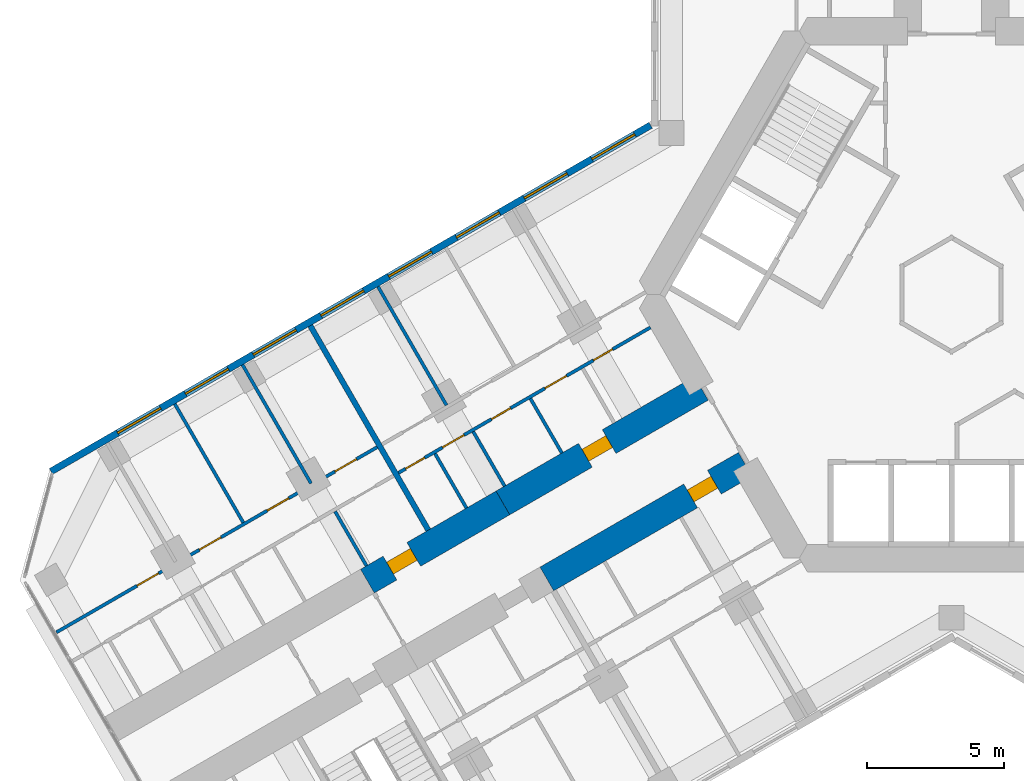
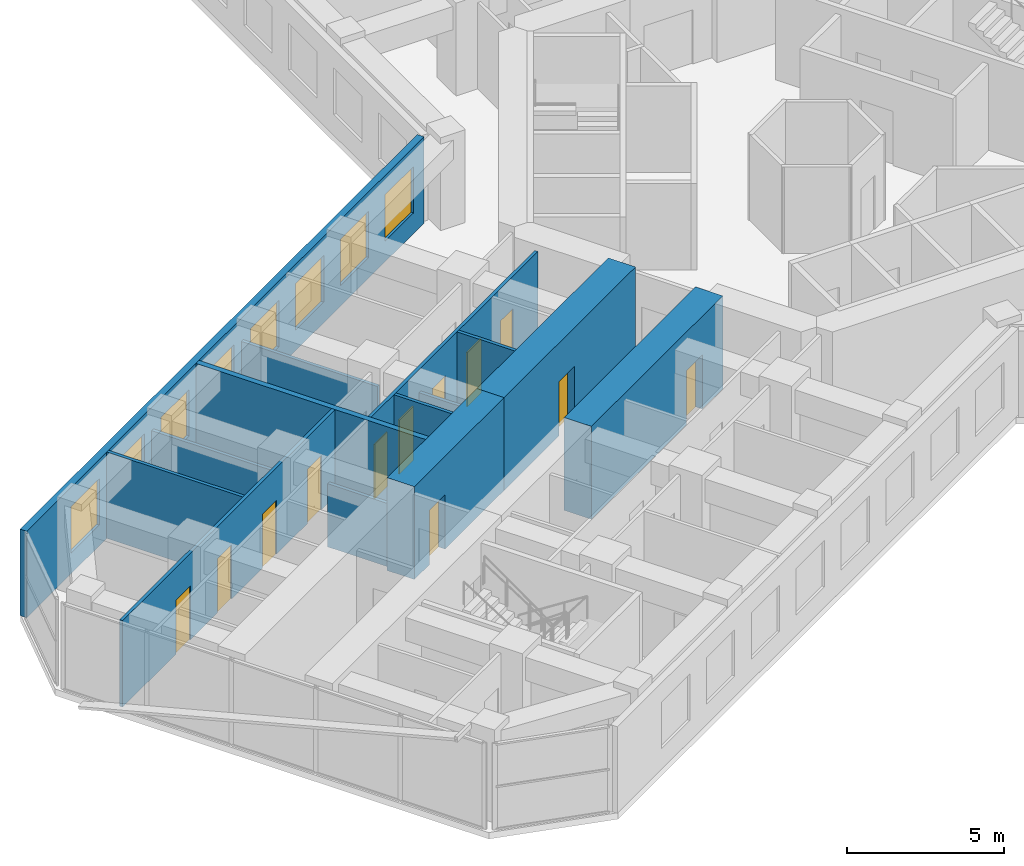
# One storey, part 12 of 22: 14 walls, 12 doors, 8 windows, 20 openings.
"""IFC4 building model written with IfcOpenShell, lengths in metres."""

from ifc_helpers import new_model, si_unit, direction, frame, frame_2d, origin, place, context, subcontext, project, spatial, rectangle, extrude, material, layer, layer_set, type_object, element, fill, save


model = new_model("IFC4")

# Units and contexts
model_context = context("Model", 3, precision=1e-05, world=origin(), true_north=direction((0.0, 1.0)))
body_context = subcontext(model_context, "Body", "Model", "MODEL_VIEW")
ifc_project = project(units=[si_unit("LENGTHUNIT", "METRE"), si_unit("AREAUNIT", "SQUARE_METRE"), si_unit("VOLUMEUNIT", "CUBIC_METRE"), si_unit("PLANEANGLEUNIT", "RADIAN"), si_unit("MASSUNIT", "GRAM", prefix="KILO")], contexts=[model_context])

# Site, building, storey
site_placement = place(None, origin())
site = spatial("IfcSite", under=ifc_project, at=site_placement, CompositionType="ELEMENT")
building_placement = place(site_placement, origin())
building = spatial("IfcBuilding", under=site, at=building_placement, Name="Kosmar Iwan School Tower", CompositionType="ELEMENT")
storey_placement = place(building_placement, frame((0.0, 0.0, 91.60009765625)))
storey = spatial("IfcBuildingStorey", under=building, at=storey_placement, Name="L22", CompositionType="ELEMENT", Elevation=91.60009765625)

# Wall, opening, door
ifc_material_1 = material(Name="Concrete C50/60", Category="concrete")
ifc_layer_1 = layer(ifc_material_1, 1.0)
ifc_layer_set_1 = layer_set([ifc_layer_1], Name="Corridor buttress wall 1000")
wall_type_1 = type_object("IfcWallType", Name="Corridor buttress wall 1000", PredefinedType="SHEAR", material=ifc_layer_set_1)
wall_1_placement = place(storey_placement, frame((-7.513916015625, -6.185546875, 0.0), z_axis=(0.0, 0.0, 1.0), x_axis=(-0.866019549707, -0.500010139422, 0.0)))
wall_1 = element("IfcWall", 1, at=wall_1_placement, inside=storey, type_object=wall_type_1, Name="Corridor wall BL", PredefinedType="SHEAR", context=body_context, shape_type="SweptSolid", body=[
    extrude(rectangle(XDim=8.349853515625, YDim=1.0, at=frame_2d((4.1748046875, 0.0))), origin(), (0.0, 0.0, 1.0), 3.599853515625),
])
opening_1_placement = place(wall_1_placement, frame((1.300048828125, 0.0, 0.0)))
opening_1 = element("IfcOpeningElement", 2, at=opening_1_placement, cuts=wall_1, Name="Opening D1", PredefinedType="OPENING", context=body_context, shape_type="SweptSolid", body=[
    extrude(rectangle(XDim=1.0, YDim=2.10009765625, at=frame_2d((0.5, 1.050048828125))), frame((0.0, 0.511962890625, 0.0), z_axis=(0.0, -1.0, 0.0), x_axis=(1.0, 0.0, 0.0)), (0.0, 0.0, 1.0), 1.02392578125),
])
ifc_material_2 = material(Name="Timber fire door in steel frame", Category="steel")
door_type_1 = type_object("IfcDoorType", Name="Flat entrance door 1000x2100", OperationType="SINGLE_SWING_LEFT", PredefinedType="DOOR", material=ifc_material_2)
door_1_placement = place(opening_1_placement, origin())
door_1 = element("IfcDoor", 3, at=door_1_placement, inside=storey, type_object=door_type_1, Name="Flat L22-BL1 entrance door", OperationType="SINGLE_SWING_RIGHT", OverallHeight=2.10009765625, OverallWidth=1.0, PredefinedType="DOOR", context=body_context, shape_type="SweptSolid", body=[
    extrude(rectangle(XDim=1.0, YDim=2.10009765625, at=frame_2d((0.5, 1.050048828125))), frame((0.0, 0.25, 0.0), z_axis=(0.0, -1.0, 0.0), x_axis=(1.0, 0.0, 0.0)), (0.0, 0.0, 1.0), 0.5),
])
fill(opening_1, door_1)

wall_2_placement = place(storey_placement, frame((-9.11376953125, -3.414306640625, 0.0), z_axis=(0.0, 0.0, 1.0), x_axis=(-0.866026859388, -0.499997478812, 0.0)))
wall_2 = element("IfcWall", 4, at=wall_2_placement, inside=storey, type_object=wall_type_1, Name="Corridor wall BR", PredefinedType="SHEAR", context=body_context, shape_type="SweptSolid", body=[
    extrude(rectangle(XDim=8.35009765625, YDim=1.0, at=frame_2d((4.175048828125, 0.0))), origin(), (0.0, 0.0, 1.0), 3.599853515625),
])
opening_2_placement = place(wall_2_placement, frame((3.8798828125, 0.0, 0.0)))
opening_2 = element("IfcOpeningElement", 5, at=opening_2_placement, cuts=wall_2, Name="Opening D1", PredefinedType="OPENING", context=body_context, shape_type="SweptSolid", body=[
    extrude(rectangle(XDim=1.0, YDim=2.10009765625, at=frame_2d((0.5, 1.050048828125))), frame((0.0, 0.511962890625, 0.0), z_axis=(0.0, -1.0, 0.0), x_axis=(1.0, 0.0, 0.0)), (0.0, 0.0, 1.0), 1.02392578125),
])
door_2_placement = place(opening_2_placement, origin())
door_2 = element("IfcDoor", 6, at=door_2_placement, inside=storey, type_object=door_type_1, Name="Flat L22-BR1 entrance door", OperationType="SINGLE_SWING_RIGHT", OverallHeight=2.10009765625, OverallWidth=1.0, PredefinedType="DOOR", context=body_context, shape_type="SweptSolid", body=[
    extrude(rectangle(XDim=1.0, YDim=2.10009765625, at=frame_2d((0.5, 1.050048828125))), frame((0.0, 0.25, 0.0), z_axis=(0.0, -1.0, 0.0), x_axis=(1.0, 0.0, 0.0)), (0.0, 0.0, 1.0), 0.5),
])
fill(opening_2, door_2)

wall_3_placement = place(storey_placement, frame((-16.34521484375, -7.58935546875, 0.0), z_axis=(0.0, 0.0, 1.0), x_axis=(-0.866015111908, -0.50001782563, 0.0)))
wall_3 = element("IfcWall", 7, at=wall_3_placement, inside=storey, type_object=wall_type_1, Name="Corridor wall BR bay 2", PredefinedType="SHEAR", context=body_context, shape_type="SweptSolid", body=[
    extrude(rectangle(XDim=5.699951171875, YDim=1.0, at=frame_2d((2.85009765625, 0.0))), origin(), (0.0, 0.0, 1.0), 3.599853515625),
])
opening_3_placement = place(wall_3_placement, frame((3.75, 0.0, 0.0)))
opening_3 = element("IfcOpeningElement", 8, at=opening_3_placement, cuts=wall_3, Name="Opening D1", PredefinedType="OPENING", context=body_context, shape_type="SweptSolid", body=[
    extrude(rectangle(XDim=1.0, YDim=2.10009765625, at=frame_2d((0.5, 1.050048828125))), frame((0.0, 0.511962890625, 0.0), z_axis=(0.0, -1.0, 0.0), x_axis=(1.0, 0.0, 0.0)), (0.0, 0.0, 1.0), 1.02392578125),
])
door_3_placement = place(opening_3_placement, origin())
door_3 = element("IfcDoor", 9, at=door_3_placement, inside=storey, type_object=door_type_1, Name="Flat L22-BR2 entrance door", OperationType="SINGLE_SWING_RIGHT", OverallHeight=2.10009765625, OverallWidth=1.0, PredefinedType="DOOR", context=body_context, shape_type="SweptSolid", body=[
    extrude(rectangle(XDim=1.0, YDim=2.10009765625, at=frame_2d((0.5, 1.050048828125))), frame((0.0, 0.25, 0.0), z_axis=(0.0, -1.0, 0.0), x_axis=(1.0, 0.0, 0.0)), (0.0, 0.0, 1.0), 0.5),
])
fill(opening_3, door_3)

# Wall, openings, doors
ifc_material_3 = material(Name="Gypsum board on steel studs", Category="steel")
ifc_layer_2 = layer(ifc_material_3, 0.1201171875)
ifc_layer_set_2 = layer_set([ifc_layer_2], Name="Dwelling partition 120")
wall_type_2 = type_object("IfcWallType", Name="Dwelling partition 120", PredefinedType="PARTITIONING", material=ifc_layer_set_2)
wall_4_placement = place(storey_placement, frame((-10.971923828125, -1.1962890625, 0.0), z_axis=(0.0, 0.0, 1.0), x_axis=(-0.866034853001, -0.49998363312, 0.0)))
wall_4 = element("IfcWall", 10, at=wall_4_placement, inside=storey, type_object=wall_type_2, Name="Partition L22-BR1-W1", PredefinedType="PARTITIONING", context=body_context, shape_type="SweptSolid", body=[
    extrude(rectangle(XDim=10.599853515625, YDim=0.1201171875, at=frame_2d((5.2998046875, 0.0))), origin(), (0.0, 0.0, 1.0), 3.349853515625),
])
opening_4_placement = place(wall_4_placement, frame((1.590087890625, 0.0, 0.0)))
opening_4 = element("IfcOpeningElement", 11, at=opening_4_placement, cuts=wall_4, Name="Opening D3", PredefinedType="OPENING", context=body_context, shape_type="SweptSolid", body=[
    extrude(rectangle(XDim=0.800048828125, YDim=2.10009765625, at=frame_2d((0.39990234375, 1.050048828125))), frame((0.0, 0.072021484375, 0.0), z_axis=(0.0, -1.0, 0.0), x_axis=(1.0, 0.0, 0.0)), (0.0, 0.0, 1.0), 0.14404296875),
])
opening_5_placement = place(wall_4_placement, frame((3.530029296875, 0.0, 0.0)))
opening_5 = element("IfcOpeningElement", 12, at=opening_5_placement, cuts=wall_4, Name="Opening D2", PredefinedType="OPENING", context=body_context, shape_type="SweptSolid", body=[
    extrude(rectangle(XDim=0.89990234375, YDim=2.10009765625, at=frame_2d((0.449951171875, 1.050048828125))), frame((0.0, 0.072021484375, 0.0), z_axis=(0.0, -1.0, 0.0), x_axis=(1.0, 0.0, 0.0)), (0.0, 0.0, 1.0), 0.14404296875),
])
opening_6_placement = place(wall_4_placement, frame((5.88427734375, 0.0, 0.0)))
opening_6 = element("IfcOpeningElement", 13, at=opening_6_placement, cuts=wall_4, Name="Opening D3", PredefinedType="OPENING", context=body_context, shape_type="SweptSolid", body=[
    extrude(rectangle(XDim=0.800048828125, YDim=2.10009765625, at=frame_2d((0.39990234375, 1.050048828125))), frame((0.0, 0.072021484375, 0.0), z_axis=(0.0, -1.0, 0.0), x_axis=(1.0, 0.0, 0.0)), (0.0, 0.0, 1.0), 0.14404296875),
])
opening_7_placement = place(wall_4_placement, frame((7.841552734375, 0.0, 0.0)))
opening_7 = element("IfcOpeningElement", 14, at=opening_7_placement, cuts=wall_4, Name="Opening D2", PredefinedType="OPENING", context=body_context, shape_type="SweptSolid", body=[
    extrude(rectangle(XDim=0.89990234375, YDim=2.10009765625, at=frame_2d((0.449951171875, 1.050048828125))), frame((0.0, 0.072021484375, 0.0), z_axis=(0.0, -1.0, 0.0), x_axis=(1.0, 0.0, 0.0)), (0.0, 0.0, 1.0), 0.14404296875),
])
opening_8_placement = place(wall_4_placement, frame((9.4970703125, 0.0, 0.0)))
opening_8 = element("IfcOpeningElement", 15, at=opening_8_placement, cuts=wall_4, Name="Opening D3", PredefinedType="OPENING", context=body_context, shape_type="SweptSolid", body=[
    extrude(rectangle(XDim=0.800048828125, YDim=2.10009765625, at=frame_2d((0.39990234375, 1.050048828125))), frame((0.0, 0.072021484375, 0.0), z_axis=(0.0, -1.0, 0.0), x_axis=(1.0, 0.0, 0.0)), (0.0, 0.0, 1.0), 0.14404296875),
])
ifc_material_4 = material(Name="Timber door in timber frame", Category="wood")
door_type_2 = type_object("IfcDoorType", Name="Internal door 900x2100", OperationType="SINGLE_SWING_LEFT", PredefinedType="DOOR", material=ifc_material_4)
door_4_placement = place(opening_5_placement, origin())
door_4 = element("IfcDoor", 16, at=door_4_placement, inside=storey, type_object=door_type_2, Name="Entrance hall door L22-BR1-S2", OperationType="SINGLE_SWING_LEFT", OverallHeight=2.10009765625, OverallWidth=0.89990234375, PredefinedType="DOOR", context=body_context, shape_type="SweptSolid", body=[
    extrude(rectangle(XDim=0.89990234375, YDim=2.10009765625, at=frame_2d((0.449951171875, 1.050048828125))), frame((0.0, 0.02490234375, 0.0), z_axis=(0.0, -1.0, 0.0), x_axis=(1.0, 0.0, 0.0)), (0.0, 0.0, 1.0), 0.050048828125),
])
fill(opening_5, door_4)
door_5_placement = place(opening_7_placement, origin())
door_5 = element("IfcDoor", 17, at=door_5_placement, inside=storey, type_object=door_type_2, Name="Pantry door L22-BR1-S4", OperationType="SINGLE_SWING_LEFT", OverallHeight=2.10009765625, OverallWidth=0.89990234375, PredefinedType="DOOR", context=body_context, shape_type="SweptSolid", body=[
    extrude(rectangle(XDim=0.89990234375, YDim=2.10009765625, at=frame_2d((0.449951171875, 1.050048828125))), frame((0.0, 0.02490234375, 0.0), z_axis=(0.0, -1.0, 0.0), x_axis=(1.0, 0.0, 0.0)), (0.0, 0.0, 1.0), 0.050048828125),
])
fill(opening_7, door_5)
ifc_material_5 = material(Name="Timber door in timber frame", Category="wood")
door_type_3 = type_object("IfcDoorType", Name="Sanitary room door 800x2100", OperationType="SINGLE_SWING_LEFT", PredefinedType="DOOR", material=ifc_material_5)
door_6_placement = place(opening_4_placement, origin())
door_6 = element("IfcDoor", 18, at=door_6_placement, inside=storey, type_object=door_type_3, Name="WC door L22-BR1-S1", OperationType="SINGLE_SWING_RIGHT", OverallHeight=2.10009765625, OverallWidth=0.800048828125, PredefinedType="DOOR", context=body_context, shape_type="SweptSolid", body=[
    extrude(rectangle(XDim=0.800048828125, YDim=2.10009765625, at=frame_2d((0.39990234375, 1.050048828125))), frame((0.0, 0.02490234375, 0.0), z_axis=(0.0, -1.0, 0.0), x_axis=(1.0, 0.0, 0.0)), (0.0, 0.0, 1.0), 0.050048828125),
])
fill(opening_4, door_6)
door_7_placement = place(opening_6_placement, origin())
door_7 = element("IfcDoor", 19, at=door_7_placement, inside=storey, type_object=door_type_3, Name="Bathroom door L22-BR1-S3", OperationType="SINGLE_SWING_RIGHT", OverallHeight=2.10009765625, OverallWidth=0.800048828125, PredefinedType="DOOR", context=body_context, shape_type="SweptSolid", body=[
    extrude(rectangle(XDim=0.800048828125, YDim=2.10009765625, at=frame_2d((0.39990234375, 1.050048828125))), frame((0.0, 0.02490234375, 0.0), z_axis=(0.0, -1.0, 0.0), x_axis=(1.0, 0.0, 0.0)), (0.0, 0.0, 1.0), 0.050048828125),
])
fill(opening_6, door_7)
door_8_placement = place(opening_8_placement, origin())
door_8 = element("IfcDoor", 20, at=door_8_placement, inside=storey, type_object=door_type_3, Name="Store door L22-BR1-S5", OperationType="SINGLE_SWING_RIGHT", OverallHeight=2.10009765625, OverallWidth=0.800048828125, PredefinedType="DOOR", context=body_context, shape_type="SweptSolid", body=[
    extrude(rectangle(XDim=0.800048828125, YDim=2.10009765625, at=frame_2d((0.39990234375, 1.050048828125))), frame((0.0, 0.02490234375, 0.0), z_axis=(0.0, -1.0, 0.0), x_axis=(1.0, 0.0, 0.0)), (0.0, 0.0, 1.0), 0.050048828125),
])
fill(opening_8, door_8)

# Walls
wall_5_placement = place(storey_placement, frame((-18.400146484375, -4.030029296875, 0.0), z_axis=(0.0, 0.0, 1.0), x_axis=(-0.500011847778, 0.866018563358, 0.0)))
element("IfcWall", 21, at=wall_5_placement, inside=storey, type_object=wall_type_2, Name="Partition L22-BR1-X3", PredefinedType="PARTITIONING", context=body_context, shape_type="SweptSolid", body=[
    extrude(rectangle(XDim=4.990234375, YDim=0.1201171875, at=frame_2d((2.4951171875, 0.0))), origin(), (0.0, 0.0, 1.0), 2.449951171875),
])
wall_6_placement = place(storey_placement, frame((-14.1962890625, -5.771240234375, 0.0), z_axis=(0.0, 0.0, 1.0), x_axis=(-0.500014693593, 0.866016920268, 0.0)))
element("IfcWall", 22, at=wall_6_placement, inside=storey, type_object=wall_type_2, Name="Partition L22-BR1-Y2", PredefinedType="PARTITIONING", context=body_context, shape_type="SweptSolid", body=[
    extrude(rectangle(XDim=2.2900390625, YDim=0.1201171875, at=frame_2d((1.14501953125, 0.0))), origin(), (0.0, 0.0, 1.0), 3.349853515625),
])
wall_7_placement = place(storey_placement, frame((-16.2822265625, -6.9755859375, 0.0), z_axis=(0.0, 0.0, 1.0), x_axis=(-0.500014693593, 0.866016920268, 0.0)))
element("IfcWall", 23, at=wall_7_placement, inside=storey, type_object=wall_type_2, Name="Partition L22-BR1-Y3", PredefinedType="PARTITIONING", context=body_context, shape_type="SweptSolid", body=[
    extrude(rectangle(XDim=2.2900390625, YDim=0.1201171875, at=frame_2d((1.14501953125, 0.0))), origin(), (0.0, 0.0, 1.0), 2.449951171875),
])
wall_8_placement = place(storey_placement, frame((-17.6728515625, -7.778564453125, 0.0), z_axis=(0.0, 0.0, 1.0), x_axis=(-0.499888569412, 0.866089728707, 0.0)))
element("IfcWall", 24, at=wall_8_placement, inside=storey, type_object=wall_type_2, Name="Partition L22-BR1-Y4", PredefinedType="PARTITIONING", context=body_context, shape_type="SweptSolid", body=[
    extrude(rectangle(XDim=2.2900390625, YDim=0.1201171875, at=frame_2d((1.14501953125, 0.0))), origin(), (0.0, 0.0, 1.0), 3.349853515625),
])

# Wall, openings, doors
wall_9_placement = place(storey_placement, frame((-20.9248046875, -5.556884765625, 0.0), z_axis=(0.0, 0.0, 1.0), x_axis=(-0.866028025956, -0.499995458239, 0.0)))
wall_9 = element("IfcWall", 25, at=wall_9_placement, inside=storey, type_object=wall_type_2, Name="Partition L22-BR2-W2", PredefinedType="PARTITIONING", context=body_context, shape_type="SweptSolid", body=[
    extrude(rectangle(XDim=13.495361328125, YDim=0.1201171875, at=frame_2d((6.74755859375, 0.0))), origin(), (0.0, 0.0, 1.0), 3.349853515625),
])
opening_9_placement = place(wall_9_placement, frame((0.875, 0.0, 0.0)))
opening_9 = element("IfcOpeningElement", 26, at=opening_9_placement, cuts=wall_9, Name="Opening D2", PredefinedType="OPENING", context=body_context, shape_type="SweptSolid", body=[
    extrude(rectangle(XDim=0.89990234375, YDim=2.10009765625, at=frame_2d((0.449951171875, 1.050048828125))), frame((0.0, 0.072021484375, 0.0), z_axis=(0.0, -1.0, 0.0), x_axis=(1.0, 0.0, 0.0)), (0.0, 0.0, 1.0), 0.14404296875),
])
opening_10_placement = place(wall_9_placement, frame((3.72509765625, 0.0, 0.0)))
opening_10 = element("IfcOpeningElement", 27, at=opening_10_placement, cuts=wall_9, Name="Opening D2", PredefinedType="OPENING", context=body_context, shape_type="SweptSolid", body=[
    extrude(rectangle(XDim=0.89990234375, YDim=2.10009765625, at=frame_2d((0.449951171875, 1.050048828125))), frame((0.0, 0.072021484375, 0.0), z_axis=(0.0, -1.0, 0.0), x_axis=(1.0, 0.0, 0.0)), (0.0, 0.0, 1.0), 0.14404296875),
])
opening_11_placement = place(wall_9_placement, frame((6.574951171875, 0.0, 0.0)))
opening_11 = element("IfcOpeningElement", 28, at=opening_11_placement, cuts=wall_9, Name="Opening D2", PredefinedType="OPENING", context=body_context, shape_type="SweptSolid", body=[
    extrude(rectangle(XDim=0.89990234375, YDim=2.10009765625, at=frame_2d((0.449951171875, 1.050048828125))), frame((0.0, 0.072021484375, 0.0), z_axis=(0.0, -1.0, 0.0), x_axis=(1.0, 0.0, 0.0)), (0.0, 0.0, 1.0), 0.14404296875),
])
opening_12_placement = place(wall_9_placement, frame((9.199951171875, 0.0, 0.0)))
opening_12 = element("IfcOpeningElement", 29, at=opening_12_placement, cuts=wall_9, Name="Opening D2", PredefinedType="OPENING", context=body_context, shape_type="SweptSolid", body=[
    extrude(rectangle(XDim=0.89990234375, YDim=2.10009765625, at=frame_2d((0.449951171875, 1.050048828125))), frame((0.0, 0.072021484375, 0.0), z_axis=(0.0, -1.0, 0.0), x_axis=(1.0, 0.0, 0.0)), (0.0, 0.0, 1.0), 0.14404296875),
])
door_9_placement = place(opening_9_placement, origin())
door_9 = element("IfcDoor", 30, at=door_9_placement, inside=storey, type_object=door_type_2, Name="Bedroom 1 door L22-BR2-F1", OperationType="SINGLE_SWING_LEFT", OverallHeight=2.10009765625, OverallWidth=0.89990234375, PredefinedType="DOOR", context=body_context, shape_type="SweptSolid", body=[
    extrude(rectangle(XDim=0.89990234375, YDim=2.10009765625, at=frame_2d((0.449951171875, 1.050048828125))), frame((0.0, 0.02490234375, 0.0), z_axis=(0.0, -1.0, 0.0), x_axis=(1.0, 0.0, 0.0)), (0.0, 0.0, 1.0), 0.050048828125),
])
fill(opening_9, door_9)
door_10_placement = place(opening_10_placement, origin())
door_10 = element("IfcDoor", 31, at=door_10_placement, inside=storey, type_object=door_type_2, Name="Bedroom 2 door L22-BR2-F2", OperationType="SINGLE_SWING_LEFT", OverallHeight=2.10009765625, OverallWidth=0.89990234375, PredefinedType="DOOR", context=body_context, shape_type="SweptSolid", body=[
    extrude(rectangle(XDim=0.89990234375, YDim=2.10009765625, at=frame_2d((0.449951171875, 1.050048828125))), frame((0.0, 0.02490234375, 0.0), z_axis=(0.0, -1.0, 0.0), x_axis=(1.0, 0.0, 0.0)), (0.0, 0.0, 1.0), 0.050048828125),
])
fill(opening_10, door_10)
door_11_placement = place(opening_11_placement, origin())
door_11 = element("IfcDoor", 32, at=door_11_placement, inside=storey, type_object=door_type_2, Name="Bedroom 3 door L22-BR2-F3", OperationType="SINGLE_SWING_RIGHT", OverallHeight=2.10009765625, OverallWidth=0.89990234375, PredefinedType="DOOR", context=body_context, shape_type="SweptSolid", body=[
    extrude(rectangle(XDim=0.89990234375, YDim=2.10009765625, at=frame_2d((0.449951171875, 1.050048828125))), frame((0.0, 0.02490234375, 0.0), z_axis=(0.0, -1.0, 0.0), x_axis=(1.0, 0.0, 0.0)), (0.0, 0.0, 1.0), 0.050048828125),
])
fill(opening_11, door_11)
door_12_placement = place(opening_12_placement, origin())
door_12 = element("IfcDoor", 33, at=door_12_placement, inside=storey, type_object=door_type_2, Name="Living room and kitchen door L22-BR2-F4", OperationType="SINGLE_SWING_RIGHT", OverallHeight=2.10009765625, OverallWidth=0.89990234375, PredefinedType="DOOR", context=body_context, shape_type="SweptSolid", body=[
    extrude(rectangle(XDim=0.89990234375, YDim=2.10009765625, at=frame_2d((0.449951171875, 1.050048828125))), frame((0.0, 0.02490234375, 0.0), z_axis=(0.0, -1.0, 0.0), x_axis=(1.0, 0.0, 0.0)), (0.0, 0.0, 1.0), 0.050048828125),
])
fill(opening_12, door_12)

# Walls
wall_10_placement = place(storey_placement, frame((-23.33642578125, -6.8798828125, 0.0), z_axis=(0.0, 0.0, 1.0), x_axis=(-0.500033033937, 0.866006330792, 0.0)))
element("IfcWall", 34, at=wall_10_placement, inside=storey, type_object=wall_type_2, Name="Partition L22-BR2-X1", PredefinedType="PARTITIONING", context=body_context, shape_type="SweptSolid", body=[
    extrude(rectangle(XDim=4.989990234375, YDim=0.1201171875, at=frame_2d((2.4951171875, 0.0))), origin(), (0.0, 0.0, 1.0), 2.449951171875),
])
wall_11_placement = place(storey_placement, frame((-25.8046875, -8.304931640625, 0.0), z_axis=(0.0, 0.0, 1.0), x_axis=(-0.499975153383, 0.86603974851, 0.0)))
element("IfcWall", 35, at=wall_11_placement, inside=storey, type_object=wall_type_2, Name="Partition L22-BR2-X2", PredefinedType="PARTITIONING", context=body_context, shape_type="SweptSolid", body=[
    extrude(rectangle(XDim=4.989990234375, YDim=0.1201171875, at=frame_2d((2.4951171875, 0.0))), origin(), (0.0, 0.0, 1.0), 3.349853515625),
])
wall_12_placement = place(storey_placement, frame((-21.31494140625, -9.88134765625, 0.0), z_axis=(0.0, 0.0, 1.0), x_axis=(-0.500014693593, 0.866016920268, 0.0)))
element("IfcWall", 36, at=wall_12_placement, inside=storey, type_object=wall_type_2, Name="Partition L22-BR2-Y1", PredefinedType="PARTITIONING", context=body_context, shape_type="SweptSolid", body=[
    extrude(rectangle(XDim=2.2900390625, YDim=0.1201171875, at=frame_2d((1.14501953125, 0.0))), origin(), (0.0, 0.0, 1.0), 2.449951171875),
])

# Wall, openings, windows
ifc_material_6 = material(Name="Black aluminium rainscreen on insulated framing", Category="aluminium")
ifc_layer_3 = layer(ifc_material_6, 0.25)
ifc_layer_set_3 = layer_set([ifc_layer_3], Name="External wall rainscreen 250")
wall_type_3 = type_object("IfcWallType", Name="External wall rainscreen 250", PredefinedType="SOLIDWALL", material=ifc_layer_set_3)
wall_13_placement = place(storey_placement, frame((-10.962890625, 6.170166015625, 0.0), z_axis=(0.0, 0.0, 1.0), x_axis=(-0.86602796634, -0.499995561497, 0.0)))
wall_13 = element("IfcWall", 37, at=wall_13_placement, inside=storey, type_object=wall_type_3, Name="External wall BR L22", PredefinedType="SOLIDWALL", context=body_context, shape_type="SweptSolid", body=[
    extrude(rectangle(XDim=25.226318359375, YDim=0.25, at=frame_2d((12.61328125, 0.0))), origin(), (0.0, 0.0, 1.0), 3.349853515625),
])
opening_13_placement = place(wall_13_placement, frame((0.666015625, 0.0, 0.800048828125)))
opening_13 = element("IfcOpeningElement", 38, at=opening_13_placement, cuts=wall_13, Name="Opening W1", PredefinedType="OPENING", context=body_context, shape_type="SweptSolid", body=[
    extrude(rectangle(XDim=1.800048828125, YDim=1.800048828125, at=frame_2d((0.89990234375, 0.89990234375))), frame((0.0, 0.136962890625, 0.0), z_axis=(0.0, -1.0, 0.0), x_axis=(1.0, 0.0, 0.0)), (0.0, 0.0, 1.0), 0.27392578125),
])
opening_14_placement = place(wall_13_placement, frame((3.51611328125, 0.0, 0.800048828125)))
opening_14 = element("IfcOpeningElement", 39, at=opening_14_placement, cuts=wall_13, Name="Opening W1", PredefinedType="OPENING", context=body_context, shape_type="SweptSolid", body=[
    extrude(rectangle(XDim=1.800048828125, YDim=1.800048828125, at=frame_2d((0.89990234375, 0.89990234375))), frame((0.0, 0.136962890625, 0.0), z_axis=(0.0, -1.0, 0.0), x_axis=(1.0, 0.0, 0.0)), (0.0, 0.0, 1.0), 0.27392578125),
])
opening_15_placement = place(wall_13_placement, frame((6.365966796875, 0.0, 0.800048828125)))
opening_15 = element("IfcOpeningElement", 40, at=opening_15_placement, cuts=wall_13, Name="Opening W1", PredefinedType="OPENING", context=body_context, shape_type="SweptSolid", body=[
    extrude(rectangle(XDim=1.800048828125, YDim=1.800048828125, at=frame_2d((0.89990234375, 0.89990234375))), frame((0.0, 0.136962890625, 0.0), z_axis=(0.0, -1.0, 0.0), x_axis=(1.0, 0.0, 0.0)), (0.0, 0.0, 1.0), 0.27392578125),
])
opening_16_placement = place(wall_13_placement, frame((9.216064453125, 0.0, 0.800048828125)))
opening_16 = element("IfcOpeningElement", 41, at=opening_16_placement, cuts=wall_13, Name="Opening W1", PredefinedType="OPENING", context=body_context, shape_type="SweptSolid", body=[
    extrude(rectangle(XDim=1.800048828125, YDim=1.800048828125, at=frame_2d((0.89990234375, 0.89990234375))), frame((0.0, 0.136962890625, 0.0), z_axis=(0.0, -1.0, 0.0), x_axis=(1.0, 0.0, 0.0)), (0.0, 0.0, 1.0), 0.27392578125),
])
opening_17_placement = place(wall_13_placement, frame((12.06591796875, 0.0, 0.800048828125)))
opening_17 = element("IfcOpeningElement", 42, at=opening_17_placement, cuts=wall_13, Name="Opening W1", PredefinedType="OPENING", context=body_context, shape_type="SweptSolid", body=[
    extrude(rectangle(XDim=1.800048828125, YDim=1.800048828125, at=frame_2d((0.89990234375, 0.89990234375))), frame((0.0, 0.136962890625, 0.0), z_axis=(0.0, -1.0, 0.0), x_axis=(1.0, 0.0, 0.0)), (0.0, 0.0, 1.0), 0.27392578125),
])
opening_18_placement = place(wall_13_placement, frame((14.916015625, 0.0, 0.800048828125)))
opening_18 = element("IfcOpeningElement", 43, at=opening_18_placement, cuts=wall_13, Name="Opening W1", PredefinedType="OPENING", context=body_context, shape_type="SweptSolid", body=[
    extrude(rectangle(XDim=1.800048828125, YDim=1.800048828125, at=frame_2d((0.89990234375, 0.89990234375))), frame((0.0, 0.136962890625, 0.0), z_axis=(0.0, -1.0, 0.0), x_axis=(1.0, 0.0, 0.0)), (0.0, 0.0, 1.0), 0.27392578125),
])
opening_19_placement = place(wall_13_placement, frame((17.76611328125, 0.0, 0.800048828125)))
opening_19 = element("IfcOpeningElement", 44, at=opening_19_placement, cuts=wall_13, Name="Opening W1", PredefinedType="OPENING", context=body_context, shape_type="SweptSolid", body=[
    extrude(rectangle(XDim=1.800048828125, YDim=1.800048828125, at=frame_2d((0.89990234375, 0.89990234375))), frame((0.0, 0.136962890625, 0.0), z_axis=(0.0, -1.0, 0.0), x_axis=(1.0, 0.0, 0.0)), (0.0, 0.0, 1.0), 0.27392578125),
])
opening_20_placement = place(wall_13_placement, frame((20.615966796875, 0.0, 0.800048828125)))
opening_20 = element("IfcOpeningElement", 45, at=opening_20_placement, cuts=wall_13, Name="Opening W1", PredefinedType="OPENING", context=body_context, shape_type="SweptSolid", body=[
    extrude(rectangle(XDim=1.800048828125, YDim=1.800048828125, at=frame_2d((0.89990234375, 0.89990234375))), frame((0.0, 0.136962890625, 0.0), z_axis=(0.0, -1.0, 0.0), x_axis=(1.0, 0.0, 0.0)), (0.0, 0.0, 1.0), 0.27392578125),
])
ifc_material_7 = material(Name="Black aluminium frame with dark triple glazing", Category="aluminium")
window_type = type_object("IfcWindowType", Name="Window 1800x1800", PartitioningType="SINGLE_PANEL", PredefinedType="WINDOW", material=ifc_material_7)
window_1_placement = place(opening_13_placement, origin())
window_1 = element("IfcWindow", 46, at=window_1_placement, inside=storey, type_object=window_type, Name="Window BR L22 -1", OverallHeight=1.800048828125, OverallWidth=1.800048828125, PartitioningType="SINGLE_PANEL", PredefinedType="WINDOW", context=body_context, shape_type="SweptSolid", body=[
    extrude(rectangle(XDim=1.800048828125, YDim=1.800048828125, at=frame_2d((0.89990234375, 0.89990234375))), frame((0.0, 0.030029296875, 0.0), z_axis=(0.0, -1.0, 0.0), x_axis=(1.0, 0.0, 0.0)), (0.0, 0.0, 1.0), 0.06005859375),
])
fill(opening_13, window_1)
window_2_placement = place(opening_14_placement, origin())
window_2 = element("IfcWindow", 47, at=window_2_placement, inside=storey, type_object=window_type, Name="Window BR L22 0", OverallHeight=1.800048828125, OverallWidth=1.800048828125, PartitioningType="SINGLE_PANEL", PredefinedType="WINDOW", context=body_context, shape_type="SweptSolid", body=[
    extrude(rectangle(XDim=1.800048828125, YDim=1.800048828125, at=frame_2d((0.89990234375, 0.89990234375))), frame((0.0, 0.030029296875, 0.0), z_axis=(0.0, -1.0, 0.0), x_axis=(1.0, 0.0, 0.0)), (0.0, 0.0, 1.0), 0.06005859375),
])
fill(opening_14, window_2)
window_3_placement = place(opening_15_placement, origin())
window_3 = element("IfcWindow", 48, at=window_3_placement, inside=storey, type_object=window_type, Name="Window BR L22 1", OverallHeight=1.800048828125, OverallWidth=1.800048828125, PartitioningType="SINGLE_PANEL", PredefinedType="WINDOW", context=body_context, shape_type="SweptSolid", body=[
    extrude(rectangle(XDim=1.800048828125, YDim=1.800048828125, at=frame_2d((0.89990234375, 0.89990234375))), frame((0.0, 0.030029296875, 0.0), z_axis=(0.0, -1.0, 0.0), x_axis=(1.0, 0.0, 0.0)), (0.0, 0.0, 1.0), 0.06005859375),
])
fill(opening_15, window_3)
window_4_placement = place(opening_16_placement, origin())
window_4 = element("IfcWindow", 49, at=window_4_placement, inside=storey, type_object=window_type, Name="Window BR L22 2", OverallHeight=1.800048828125, OverallWidth=1.800048828125, PartitioningType="SINGLE_PANEL", PredefinedType="WINDOW", context=body_context, shape_type="SweptSolid", body=[
    extrude(rectangle(XDim=1.800048828125, YDim=1.800048828125, at=frame_2d((0.89990234375, 0.89990234375))), frame((0.0, 0.030029296875, 0.0), z_axis=(0.0, -1.0, 0.0), x_axis=(1.0, 0.0, 0.0)), (0.0, 0.0, 1.0), 0.06005859375),
])
fill(opening_16, window_4)
window_5_placement = place(opening_17_placement, origin())
window_5 = element("IfcWindow", 50, at=window_5_placement, inside=storey, type_object=window_type, Name="Window BR L22 3", OverallHeight=1.800048828125, OverallWidth=1.800048828125, PartitioningType="SINGLE_PANEL", PredefinedType="WINDOW", context=body_context, shape_type="SweptSolid", body=[
    extrude(rectangle(XDim=1.800048828125, YDim=1.800048828125, at=frame_2d((0.89990234375, 0.89990234375))), frame((0.0, 0.030029296875, 0.0), z_axis=(0.0, -1.0, 0.0), x_axis=(1.0, 0.0, 0.0)), (0.0, 0.0, 1.0), 0.06005859375),
])
fill(opening_17, window_5)
window_6_placement = place(opening_18_placement, origin())
window_6 = element("IfcWindow", 51, at=window_6_placement, inside=storey, type_object=window_type, Name="Window BR L22 4", OverallHeight=1.800048828125, OverallWidth=1.800048828125, PartitioningType="SINGLE_PANEL", PredefinedType="WINDOW", context=body_context, shape_type="SweptSolid", body=[
    extrude(rectangle(XDim=1.800048828125, YDim=1.800048828125, at=frame_2d((0.89990234375, 0.89990234375))), frame((0.0, 0.030029296875, 0.0), z_axis=(0.0, -1.0, 0.0), x_axis=(1.0, 0.0, 0.0)), (0.0, 0.0, 1.0), 0.06005859375),
])
fill(opening_18, window_6)
window_7_placement = place(opening_19_placement, origin())
window_7 = element("IfcWindow", 52, at=window_7_placement, inside=storey, type_object=window_type, Name="Window BR L22 5", OverallHeight=1.800048828125, OverallWidth=1.800048828125, PartitioningType="SINGLE_PANEL", PredefinedType="WINDOW", context=body_context, shape_type="SweptSolid", body=[
    extrude(rectangle(XDim=1.800048828125, YDim=1.800048828125, at=frame_2d((0.89990234375, 0.89990234375))), frame((0.0, 0.030029296875, 0.0), z_axis=(0.0, -1.0, 0.0), x_axis=(1.0, 0.0, 0.0)), (0.0, 0.0, 1.0), 0.06005859375),
])
fill(opening_19, window_7)
window_8_placement = place(opening_20_placement, origin())
window_8 = element("IfcWindow", 53, at=window_8_placement, inside=storey, type_object=window_type, Name="Window BR L22 6", OverallHeight=1.800048828125, OverallWidth=1.800048828125, PartitioningType="SINGLE_PANEL", PredefinedType="WINDOW", context=body_context, shape_type="SweptSolid", body=[
    extrude(rectangle(XDim=1.800048828125, YDim=1.800048828125, at=frame_2d((0.89990234375, 0.89990234375))), frame((0.0, 0.030029296875, 0.0), z_axis=(0.0, -1.0, 0.0), x_axis=(1.0, 0.0, 0.0)), (0.0, 0.0, 1.0), 0.06005859375),
])
fill(opening_20, window_8)

# Wall
ifc_material_8 = material(Name="Concrete block masonry", Category="masonry")
ifc_layer_4 = layer(ifc_material_8, 0.199951171875)
ifc_layer_set_4 = layer_set([ifc_layer_4], Name="Party wall 200")
wall_type_4 = type_object("IfcWallType", Name="Party wall 200", PredefinedType="PARTITIONING", material=ifc_layer_set_4)
wall_14_placement = place(storey_placement, frame((-19.063232421875, -8.581298828125, 0.0), z_axis=(0.0, 0.0, 1.0), x_axis=(-0.500007509209, 0.866021068297, 0.0)))
element("IfcWall", 54, at=wall_14_placement, inside=storey, type_object=wall_type_4, Name="Partition L22-BR2-PW", PredefinedType="PARTITIONING", context=body_context, shape_type="SweptSolid", body=[
    extrude(rectangle(XDim=8.599853515625, YDim=0.199951171875, at=frame_2d((4.2998046875, 0.0))), origin(), (0.0, 0.0, 1.0), 3.349853515625),
])

save(model, "model.ifc")
